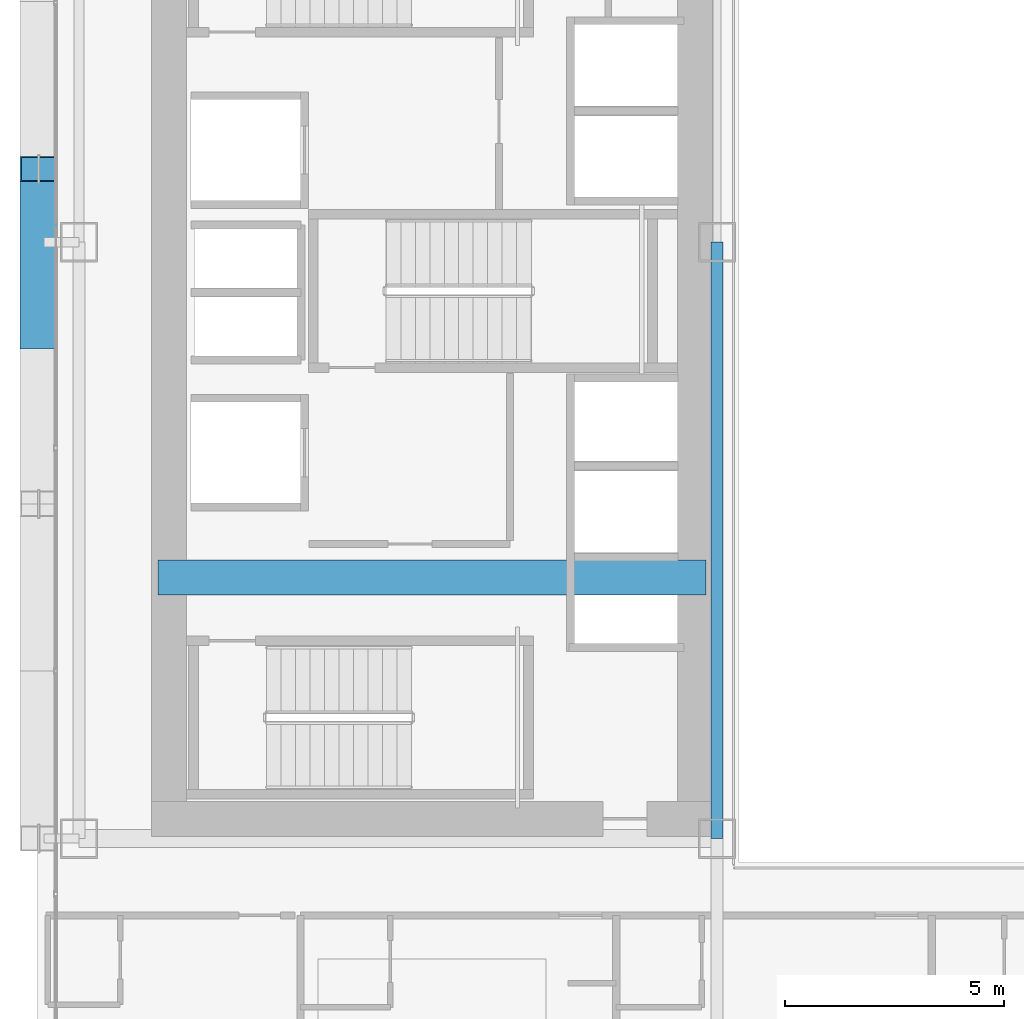
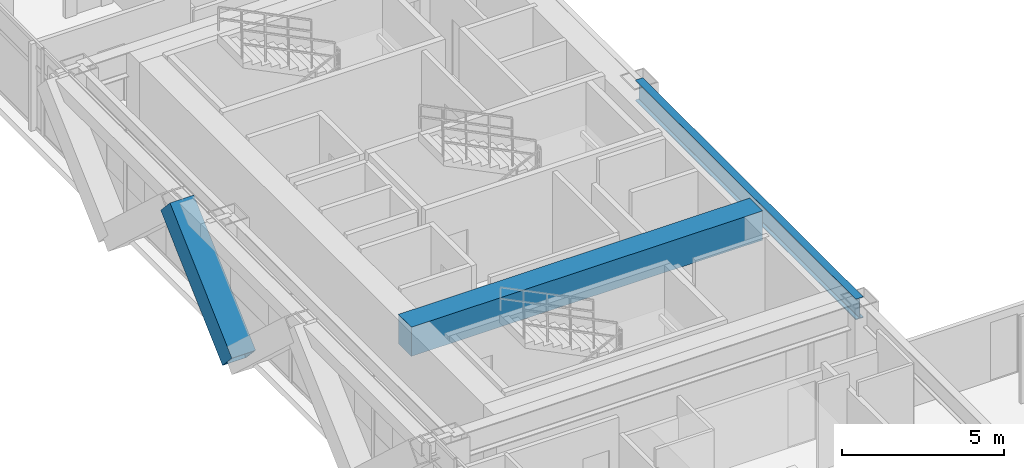
# One storey, part 7 of 35: 2 beams, 1 member.
"""IFC4 building model written with IfcOpenShell, lengths in metres."""

from ifc_helpers import new_model, si_unit, direction, frame, origin, origin_2d, place, context, subcontext, project, spatial, rectangle, hollow_rectangle, i_section, extrude, source, transform, mapped, material, material_profile, profile_set, type_object, element, save


model = new_model("IFC4")

# Units and contexts
model_context = context("Model", 3, precision=1e-05, world=origin(), true_north=direction((0.0, 1.0)))
body_context = subcontext(model_context, "Body", "Model", "MODEL_VIEW")
ifc_project = project(units=[si_unit("LENGTHUNIT", "METRE"), si_unit("AREAUNIT", "SQUARE_METRE"), si_unit("VOLUMEUNIT", "CUBIC_METRE"), si_unit("PLANEANGLEUNIT", "RADIAN"), si_unit("MASSUNIT", "GRAM", prefix="KILO")], contexts=[model_context])

# Site, building, storey
site_placement = place(None, origin())
site = spatial("IfcSite", under=ifc_project, at=site_placement, CompositionType="ELEMENT")
building_placement = place(site_placement, origin())
building = spatial("IfcBuilding", under=site, at=building_placement, Name="Ocotamira Hotel", CompositionType="ELEMENT")
storey_placement = place(building_placement, frame((0.0, 0.0, 81.60009765625)))
storey = spatial("IfcBuildingStorey", under=building, at=storey_placement, Name="L20", CompositionType="ELEMENT", Elevation=81.60009765625)

# Beams
ifc_material_1 = material(Name="Concrete C60/75", Category="concrete")
ifc_material_profile_1 = material_profile(ifc_material_1, rectangle(XDim=0.800048828125, YDim=1.10009765625, at=origin_2d()), Name="RC800X1100")
ifc_profile_set_1 = profile_set([ifc_material_profile_1], Name="Concrete C60/75")
beam_type_1 = type_object("IfcBeamType", Name="BM-LINK-RC800", PredefinedType="LINTEL", material=ifc_profile_set_1)
shared_shape_1 = source(origin(), body_context, "Body", "SweptSolid", [
    extrude(rectangle(XDim=0.800048828125, YDim=1.10009765625, at=origin_2d()), origin(), (0.0, 0.0, 1.0), 12.5),
])
beam_1_placement = place(storey_placement, frame((10.75, 20.5, 2.72998046875), z_axis=(1.0, 0.0, 0.0), x_axis=(0.0, 1.0, 0.0)))
element("IfcBeam", 1, at=beam_1_placement, inside=storey, type_object=beam_type_1, Name="L20 West Core Coupling Beam", PredefinedType="LINTEL", context=body_context, shape_type="MappedRepresentation", body=[
    mapped(shared_shape_1, transform((0.0, 0.0, 0.0), scale=1.0)),
])
ifc_material_2 = material(Name="Steel ASTM A992 Grade 50", Category="steel")
ifc_material_profile_2 = material_profile(ifc_material_2, i_section(OverallWidth=0.26611328125, OverallDepth=0.779052734375, WebThickness=0.0166015625, FlangeThickness=0.030029296875, FilletRadius=0.01806640625, at=origin_2d()), Name="W30X148")
ifc_profile_set_2 = profile_set([ifc_material_profile_2], Name="Steel ASTM A992 Grade 50")
beam_type_2 = type_object("IfcBeamType", Name="BM-GIRD-W30X148", PredefinedType="BEAM", material=ifc_profile_set_2)
shared_shape_2 = source(origin(), body_context, "Body", "SweptSolid", [
    extrude(i_section(OverallWidth=0.26611328125, OverallDepth=0.779052734375, WebThickness=0.0166015625, FlangeThickness=0.030029296875, FilletRadius=0.01806640625, at=origin_2d()), origin(), (0.0, 0.0, 1.0), 13.599853515625),
])
beam_2_placement = place(storey_placement, frame((23.5, 14.550048828125, 2.890380859375), z_axis=(0.0, 1.0, 0.0), x_axis=(-1.0, 0.0, 0.0)))
element("IfcBeam", 2, at=beam_2_placement, inside=storey, type_object=beam_type_2, Name="L20 Beam X23.5 Y14.55-28.15", PredefinedType="BEAM", context=body_context, shape_type="MappedRepresentation", body=[
    mapped(shared_shape_2, transform((0.0, 0.0, 0.0), scale=1.0)),
])

# Member
ifc_material_3 = material(Name="Pale-metal coated steel ASTM A913 Grade 65", Category="steel")
ifc_material_profile_3 = material_profile(ifc_material_3, hollow_rectangle(XDim=0.85009765625, YDim=0.85009765625, WallThickness=0.035888671875, at=origin_2d()), Name="BOX850X850X36")
ifc_profile_set_3 = profile_set([ifc_material_profile_3], Name="Pale-metal coated steel ASTM A913 Grade 65")
member_type = type_object("IfcMemberType", Name="MEM-EXO-BOX850", PredefinedType="BRACE", material=ifc_profile_set_3)
shared_shape_3 = source(origin(), body_context, "Body", "SweptSolid", [
    extrude(hollow_rectangle(XDim=0.85009765625, YDim=0.85009765625, WallThickness=0.035888671875, at=origin_2d()), origin(), (0.0, 0.0, 1.0), 5.19873046875),
])
member_placement = place(storey_placement, frame((8.030029296875, 26.0, -0.5), z_axis=(0.0, 0.734158546733, 0.67897807642), x_axis=(-1.0, 0.0, 0.0)))
element("IfcMember", 3, at=member_placement, inside=storey, type_object=member_type, Name="L20 Exoskeleton Diagrid W1.2", PredefinedType="BRACE", context=body_context, shape_type="MappedRepresentation", body=[
    mapped(shared_shape_3, transform((0.0, 0.0, 0.0), scale=1.0)),
])

save(model, "model.ifc")
